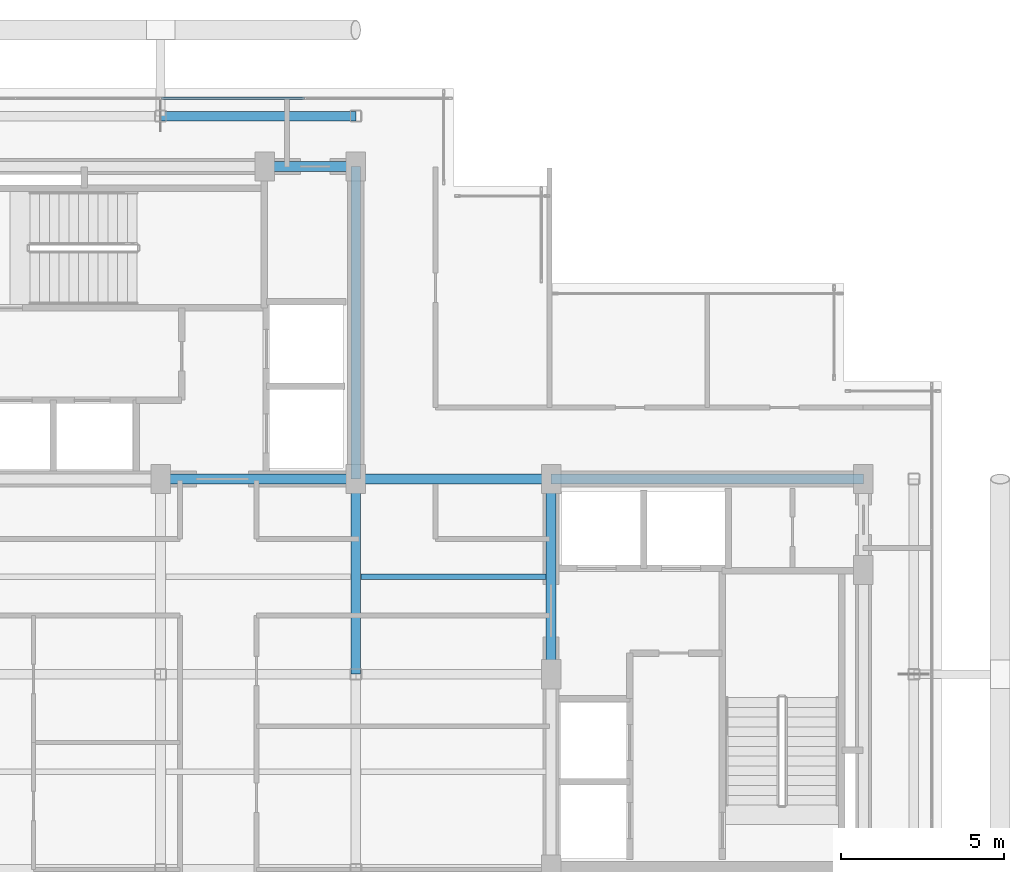
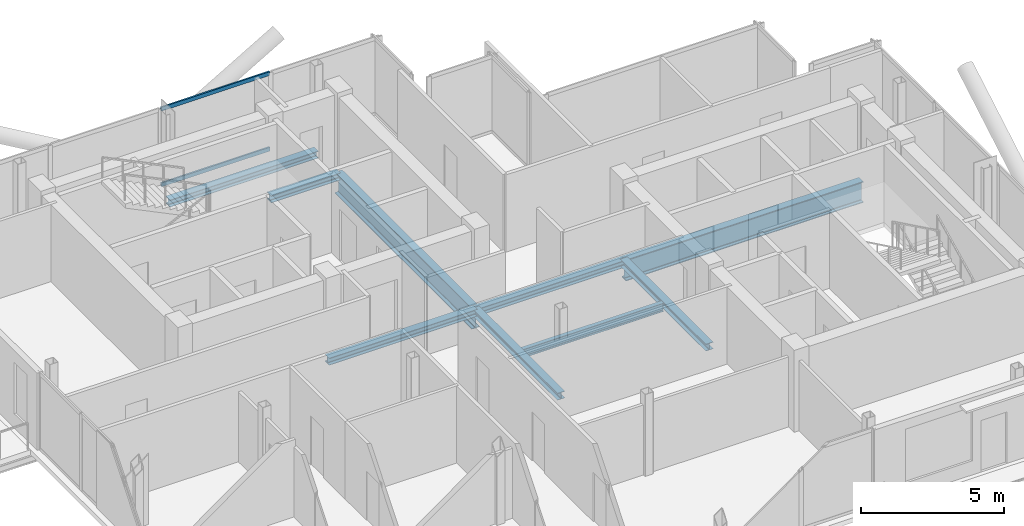
# One storey, part 9 of 18: 9 beams, 2 members, 1 element without a shape of its own.
"""IFC4 building model written with IfcOpenShell, lengths in metres."""

from ifc_helpers import new_model, si_unit, direction, frame, origin, origin_2d, place, context, subcontext, project, spatial, hollow_rectangle, i_section, extrude, material, layer, layer_set, material_profile, profile_set, type_object, element, aggregate, save


model = new_model("IFC4")

# Units and contexts
model_context = context("Model", 3, precision=1e-05, world=origin(), true_north=direction((0.0, 1.0)))
body_context = subcontext(model_context, "Body", "Model", "MODEL_VIEW")
ifc_project = project(units=[si_unit("LENGTHUNIT", "METRE"), si_unit("AREAUNIT", "SQUARE_METRE"), si_unit("VOLUMEUNIT", "CUBIC_METRE"), si_unit("PLANEANGLEUNIT", "RADIAN"), si_unit("MASSUNIT", "GRAM", prefix="KILO"), si_unit("THERMODYNAMICTEMPERATUREUNIT", "KELVIN"), si_unit("POWERUNIT", "WATT")], contexts=[model_context])

# Site, building, storey
site_placement = place(None, origin())
site = spatial("IfcSite", under=ifc_project, at=site_placement, CompositionType="ELEMENT")
building_placement = place(site_placement, origin())
building = spatial("IfcBuilding", under=site, at=building_placement, Name="Svarakhadi Broadcast Tower", CompositionType="ELEMENT")
storey_placement = place(building_placement, frame((0.0, 0.0, 260.699951171875)))
storey = spatial("IfcBuildingStorey", under=building, at=storey_placement, Name="L65", CompositionType="ELEMENT", Elevation=260.699951171875)

# Beam
ifc_material_1 = material(Name="Steel S355J2 (IS 2062 E350C)", Category="steel")
ifc_material_profile_1 = material_profile(ifc_material_1, i_section(OverallWidth=0.169921875, OverallDepth=0.360107421875, WebThickness=0.008056640625, FlangeThickness=0.0126953125, FilletRadius=0.01806640625, at=origin_2d()), Name="NPB 360x170x57")
ifc_profile_set_1 = profile_set([ifc_material_profile_1], Name="Steel S355J2 (IS 2062 E350C)")
beam_type_1 = type_object("IfcBeamType", Name="Beam_NPB360", PredefinedType="BEAM", material=ifc_profile_set_1)
beam_1_placement = place(storey_placement, frame((18.159912109375, 15.0, -0.3798828125), z_axis=(1.0, 0.0, 0.0), x_axis=(0.0, 1.0, 0.0)))
element("IfcBeam", 1, at=beam_1_placement, inside=storey, type_object=beam_type_1, Name="L65 Secondary Composite Beam SB012", PredefinedType="BEAM", context=body_context, shape_type="SweptSolid", body=[
    extrude(i_section(OverallWidth=0.169921875, OverallDepth=0.360107421875, WebThickness=0.008056640625, FlangeThickness=0.0126953125, FilletRadius=0.01806640625, at=origin_2d()), origin(), (0.0, 0.0, 1.0), 5.68017578125),
])

# Curtain wall, members
ifc_material_2 = material(Name="Anodised Bronze Aluminium AA 6063-T6", Category="aluminium")
ifc_layer = layer(ifc_material_2, 0.179931640625)
ifc_layer_set = layer_set([ifc_layer], Name="Anodised Bronze Aluminium AA 6063-T6")
curtain_wall_type = type_object("IfcCurtainWallType", Name="CW_Sys_05", PredefinedType="NOTDEFINED", material=ifc_layer_set)
curtain_wall_placement = place(storey_placement, origin())
curtain_wall = element("IfcCurtainWall", 2, at=curtain_wall_placement, inside=storey, type_object=curtain_wall_type, Name="L65 Unitised Facade Curtain Wall 05", PredefinedType="NOTDEFINED")
ifc_material_profile_2 = material_profile(ifc_material_2, hollow_rectangle(XDim=0.06494140625, YDim=0.1650390625, WallThickness=0.0048828125, at=origin_2d()), Name="ALU TRANSOM 165x65x5")
ifc_profile_set_2 = profile_set([ifc_material_profile_2], Name="Anodised Bronze Aluminium AA 6063-T6")
member_type = type_object("IfcMemberType", Name="CW_Sys_05_Trn", PredefinedType="USERDEFINED", material=ifc_profile_set_2)
member_1_placement = place(storey_placement, frame((12.034912109375, 29.699951171875, 0.032470703125), z_axis=(1.0, 0.0, 0.0), x_axis=(0.0, 1.0, 0.0)))
member_1 = element("IfcMember", 3, at=member_1_placement, type_object=member_type, Name="CW-05 transom 3.1", ObjectType="TRANSOM", PredefinedType="USERDEFINED", context=body_context, shape_type="SweptSolid", body=[
    extrude(hollow_rectangle(XDim=0.06494140625, YDim=0.1650390625, WallThickness=0.0048828125, at=origin_2d()), origin(), (0.0, 0.0, 1.0), 4.385009765625),
])
member_2_placement = place(storey_placement, frame((12.034912109375, 29.699951171875, 3.267578125), z_axis=(1.0, 0.0, 0.0), x_axis=(0.0, 1.0, 0.0)))
member_2 = element("IfcMember", 4, at=member_2_placement, type_object=member_type, Name="CW-05 transom 3.2", ObjectType="TRANSOM", PredefinedType="USERDEFINED", context=body_context, shape_type="SweptSolid", body=[
    extrude(hollow_rectangle(XDim=0.06494140625, YDim=0.1650390625, WallThickness=0.0048828125, at=origin_2d()), origin(), (0.0, 0.0, 1.0), 4.385009765625),
])
aggregate(curtain_wall, [member_1, member_2])

# Beams
ifc_material_profile_3 = material_profile(ifc_material_1, i_section(OverallWidth=0.300048828125, OverallDepth=0.300048828125, WebThickness=0.010986328125, FlangeThickness=0.01904296875, FilletRadius=0.027099609375, at=origin_2d()), Name="WPB 300x300x117")
ifc_profile_set_3 = profile_set([ifc_material_profile_3], Name="Steel S355J2 (IS 2062 E350C)")
beam_type_2 = type_object("IfcBeamType", Name="Girder_WPB300", PredefinedType="USERDEFINED", material=ifc_profile_set_3)
for number, where, z_axis, x_axis, name in (
    (5, (12.0, 18.0, -0.349853515625), (1.0, 0.0, 0.0), (0.0, 1.0, 0.0), "L65 Primary E-W Girder G019"),
    (6, (18.0, 18.0, -0.349853515625), (1.0, 0.0, 0.0), (0.0, 1.0, 0.0), "L65 Primary E-W Girder G020"),
):
    element("IfcBeam", number, at=place(storey_placement, frame(where, z_axis=z_axis, x_axis=x_axis)), inside=storey, type_object=beam_type_2, Name=name, ObjectType="GIRDER", PredefinedType="USERDEFINED", context=body_context, shape_type="SweptSolid", body=[
        extrude(i_section(OverallWidth=0.300048828125, OverallDepth=0.300048828125, WebThickness=0.010986328125, FlangeThickness=0.01904296875, FilletRadius=0.027099609375, at=origin_2d()), origin(), (0.0, 0.0, 1.0), 6.0),
    ])
beam_2_placement = place(storey_placement, frame((15.199951171875, 27.60009765625, -0.349853515625), z_axis=(1.0, 0.0, 0.0), x_axis=(0.0, 1.0, 0.0)))
element("IfcBeam", 7, at=beam_2_placement, inside=storey, type_object=beam_type_2, Name="L65 Primary E-W Girder G023", ObjectType="GIRDER", PredefinedType="USERDEFINED", context=body_context, shape_type="SweptSolid", body=[
    extrude(i_section(OverallWidth=0.300048828125, OverallDepth=0.300048828125, WebThickness=0.010986328125, FlangeThickness=0.01904296875, FilletRadius=0.027099609375, at=origin_2d()), origin(), (0.0, 0.0, 1.0), 2.800048828125),
])
for number, where, z_axis, x_axis, name in (
    (8, (12.0, 29.14990234375, -0.349853515625), (1.0, 0.0, 0.0), (0.0, 1.0, 0.0), "L65 Primary E-W Girder G025"),
    (9, (18.0, 12.0, -0.349853515625), (0.0, 1.0, 0.0), (-1.0, 0.0, 0.0), "L65 Primary N-S Girder G038"),
    (10, (24.0, 12.0, -0.349853515625), (0.0, 1.0, 0.0), (-1.0, 0.0, 0.0), "L65 Primary N-S Girder G042"),
):
    element("IfcBeam", number, at=place(storey_placement, frame(where, z_axis=z_axis, x_axis=x_axis)), inside=storey, type_object=beam_type_2, Name=name, ObjectType="GIRDER", PredefinedType="USERDEFINED", context=body_context, shape_type="SweptSolid", body=[
        extrude(i_section(OverallWidth=0.300048828125, OverallDepth=0.300048828125, WebThickness=0.010986328125, FlangeThickness=0.01904296875, FilletRadius=0.027099609375, at=origin_2d()), origin(), (0.0, 0.0, 1.0), 6.0),
    ])
ifc_material_3 = material(Name="Steel S460ML (IS 2062 E450BR)", Category="steel")
ifc_material_profile_4 = material_profile(ifc_material_3, i_section(OverallWidth=0.300048828125, OverallDepth=0.89990234375, WebThickness=0.0185546875, FlangeThickness=0.034912109375, FilletRadius=0.030029296875, at=origin_2d()), Name="WPB 900x300x291")
ifc_profile_set_4 = profile_set([ifc_material_profile_4], Name="Steel S460ML (IS 2062 E450BR)")
beam_type_3 = type_object("IfcBeamType", Name="Girder_WPB900", PredefinedType="USERDEFINED", material=ifc_profile_set_4)
for number, where, z_axis, x_axis, name in (
    (11, (24.0, 18.0, -0.64990234375), (1.0, 0.0, 0.0), (0.0, 1.0, 0.0), "L65 Primary E-W Girder G021"),
    (12, (18.0, 18.0, -0.64990234375), (0.0, 1.0, 0.0), (-1.0, 0.0, 0.0), "L65 Primary N-S Girder G039"),
):
    element("IfcBeam", number, at=place(storey_placement, frame(where, z_axis=z_axis, x_axis=x_axis)), inside=storey, type_object=beam_type_3, Name=name, ObjectType="GIRDER", PredefinedType="USERDEFINED", context=body_context, shape_type="SweptSolid", body=[
        extrude(i_section(OverallWidth=0.300048828125, OverallDepth=0.89990234375, WebThickness=0.0185546875, FlangeThickness=0.034912109375, FilletRadius=0.030029296875, at=origin_2d()), origin(), (0.0, 0.0, 1.0), 9.60009765625),
    ])

save(model, "model.ifc")
